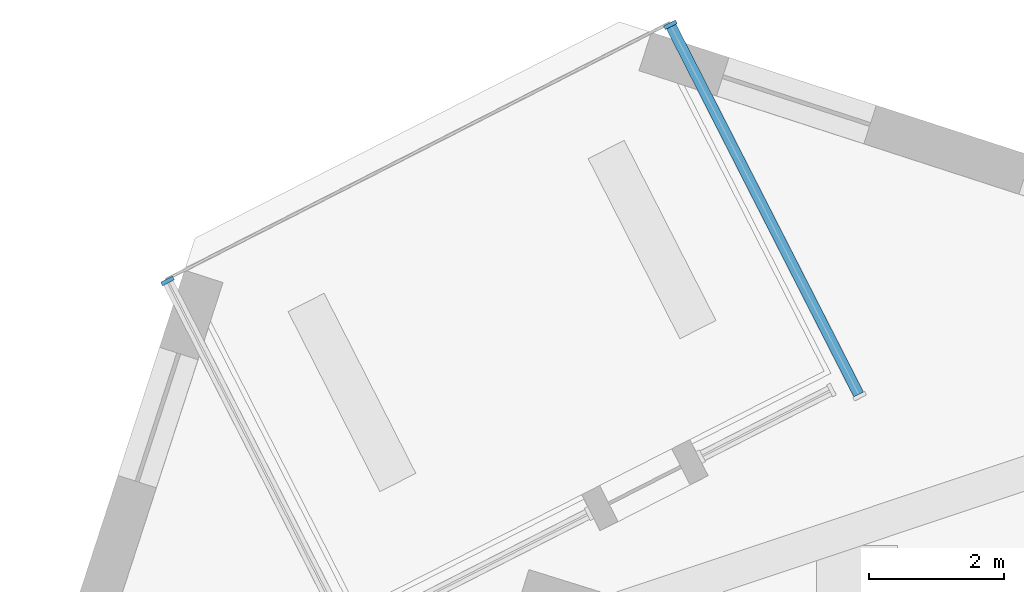
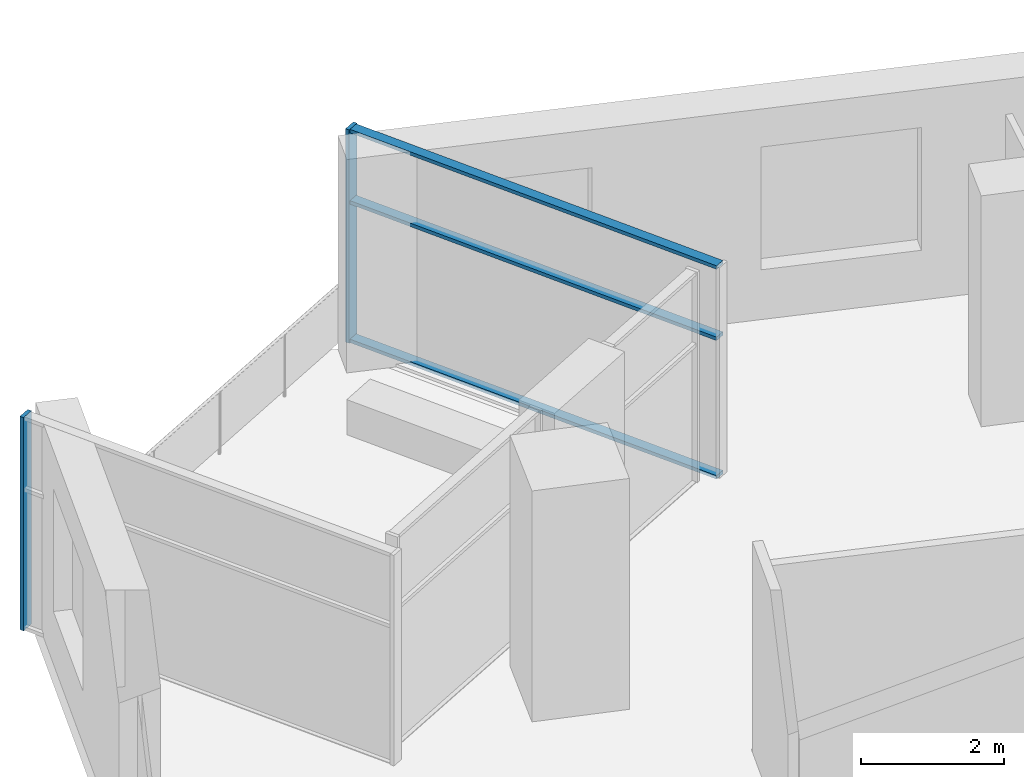
# One storey, part 4 of 13: 5 members, 2 elements without a shape of their own.
"""IFC4 building model written with IfcOpenShell, lengths in metres."""

from ifc_helpers import new_model, si_unit, direction, frame, origin, origin_2d, place, context, subcontext, project, spatial, rectangle, extrude, material, material_profile, profile_set, type_object, element, aggregate, save


model = new_model("IFC4")

# Units and contexts
model_context = context("Model", 3, precision=1e-05, world=origin(), true_north=direction((0.0, 1.0)))
body_context = subcontext(model_context, "Body", "Model", "MODEL_VIEW")
ifc_project = project(units=[si_unit("LENGTHUNIT", "METRE"), si_unit("AREAUNIT", "SQUARE_METRE"), si_unit("VOLUMEUNIT", "CUBIC_METRE"), si_unit("PLANEANGLEUNIT", "RADIAN"), si_unit("MASSUNIT", "GRAM", prefix="KILO")], contexts=[model_context])

# Site, building, storey
site_placement = place(None, origin())
site = spatial("IfcSite", under=ifc_project, at=site_placement, CompositionType="ELEMENT")
building_placement = place(site_placement, origin())
building = spatial("IfcBuilding", under=site, at=building_placement, Name="Dilmun Exchange Tower", CompositionType="ELEMENT")
storey_placement = place(building_placement, frame((0.0, 0.0, 316.5)))
storey = spatial("IfcBuildingStorey", under=building, at=storey_placement, Name="L75", CompositionType="ELEMENT", Elevation=316.5)

# Curtain wall, member
ifc_material_1 = material(Name="Anodised aluminium and clear glass", Category="aluminium")
curtain_wall_type = type_object("IfcCurtainWallType", Name="Garden corner glazing", PredefinedType="NOTDEFINED", material=ifc_material_1)
curtain_wall_1_placement = place(storey_placement, origin())
curtain_wall_1 = element("IfcCurtainWall", 1, at=curtain_wall_1_placement, inside=storey, type_object=curtain_wall_type, Name="Garden corner glazing run GC1.1", PredefinedType="NOTDEFINED")
ifc_material_2 = material(Name="Anodised aluminium", Category="aluminium")
ifc_material_profile_1 = material_profile(ifc_material_2, rectangle(XDim=0.199951171875, YDim=0.06005859375, at=origin_2d()), Name="AL 60x200")
ifc_profile_set_1 = profile_set([ifc_material_profile_1], Name="Anodised aluminium")
member_type_1 = type_object("IfcMemberType", Name="Garden corner glazing mullion 60 x 200", PredefinedType="MULLION", material=ifc_profile_set_1)
member_1_placement = place(storey_placement, frame((-10.896240234375, 35.28515625, 0.0), z_axis=(0.0, 0.0, 1.0), x_axis=(0.891010784827, 0.453982137668, 0.0)))
member_1 = element("IfcMember", 2, at=member_1_placement, type_object=member_type_1, Name="GC1.1 mullion 1", PredefinedType="MULLION", context=body_context, shape_type="SweptSolid", body=[
    extrude(rectangle(XDim=0.199951171875, YDim=0.06005859375, at=origin_2d()), origin(), (0.0, 0.0, 1.0), 3.64990234375),
])

curtain_wall_2_placement = place(storey_placement, origin())
curtain_wall_2 = element("IfcCurtainWall", 3, at=curtain_wall_2_placement, inside=storey, type_object=curtain_wall_type, Name="Garden corner glazing run GC3.1", PredefinedType="NOTDEFINED")
member_2_placement = place(storey_placement, frame((-18.361328125, 31.4814453125, 0.0), z_axis=(0.0, 0.0, 1.0), x_axis=(-0.891007485315, -0.453988613418, 0.0)))
member_2 = element("IfcMember", 4, at=member_2_placement, type_object=member_type_1, Name="GC3.1 mullion 2", PredefinedType="MULLION", context=body_context, shape_type="SweptSolid", body=[
    extrude(rectangle(XDim=0.199951171875, YDim=0.06005859375, at=origin_2d()), origin(), (0.0, 0.0, 1.0), 3.64990234375),
])
aggregate(curtain_wall_2, [member_2])

# Member
ifc_material_profile_2 = material_profile(ifc_material_2, rectangle(XDim=0.159912109375, YDim=0.06005859375, at=origin_2d()), Name="AL 60x160")
ifc_profile_set_2 = profile_set([ifc_material_profile_2], Name="Anodised aluminium")
member_type_2 = type_object("IfcMemberType", Name="Garden corner glazing transom 60 x 160", PredefinedType="USERDEFINED", material=ifc_profile_set_2)
member_3_placement = place(storey_placement, frame((-10.882568359375, 35.25830078125, 0.030029296875), z_axis=(0.453975328977, -0.891014253915, 0.0), x_axis=(0.891014253915, 0.453975328977, 0.0)))
member_3 = element("IfcMember", 5, at=member_3_placement, type_object=member_type_2, Name="GC1.1 transom 1.1", ObjectType="TRANSOM", PredefinedType="USERDEFINED", context=body_context, shape_type="SweptSolid", body=[
    extrude(rectangle(XDim=0.159912109375, YDim=0.06005859375, at=origin_2d()), origin(), (0.0, 0.0, 1.0), 6.12646484375),
])

member_4_placement = place(storey_placement, frame((-10.882568359375, 35.25830078125, 2.39990234375), z_axis=(0.453975328977, -0.891014253915, 0.0), x_axis=(0.891014253915, 0.453975328977, 0.0)))
member_4 = element("IfcMember", 6, at=member_4_placement, type_object=member_type_2, Name="GC1.1 transom 1.2", ObjectType="TRANSOM", PredefinedType="USERDEFINED", context=body_context, shape_type="SweptSolid", body=[
    extrude(rectangle(XDim=0.159912109375, YDim=0.06005859375, at=origin_2d()), origin(), (0.0, 0.0, 1.0), 6.12646484375),
])

member_5_placement = place(storey_placement, frame((-10.882568359375, 35.25830078125, 3.6201171875), z_axis=(0.453975328977, -0.891014253915, 0.0), x_axis=(0.891014253915, 0.453975328977, 0.0)))
member_5 = element("IfcMember", 7, at=member_5_placement, type_object=member_type_2, Name="GC1.1 transom 1.3", ObjectType="TRANSOM", PredefinedType="USERDEFINED", context=body_context, shape_type="SweptSolid", body=[
    extrude(rectangle(XDim=0.159912109375, YDim=0.06005859375, at=origin_2d()), origin(), (0.0, 0.0, 1.0), 6.12646484375),
])

aggregate(curtain_wall_1, [member_1, member_3, member_4, member_5])

save(model, "model.ifc")
